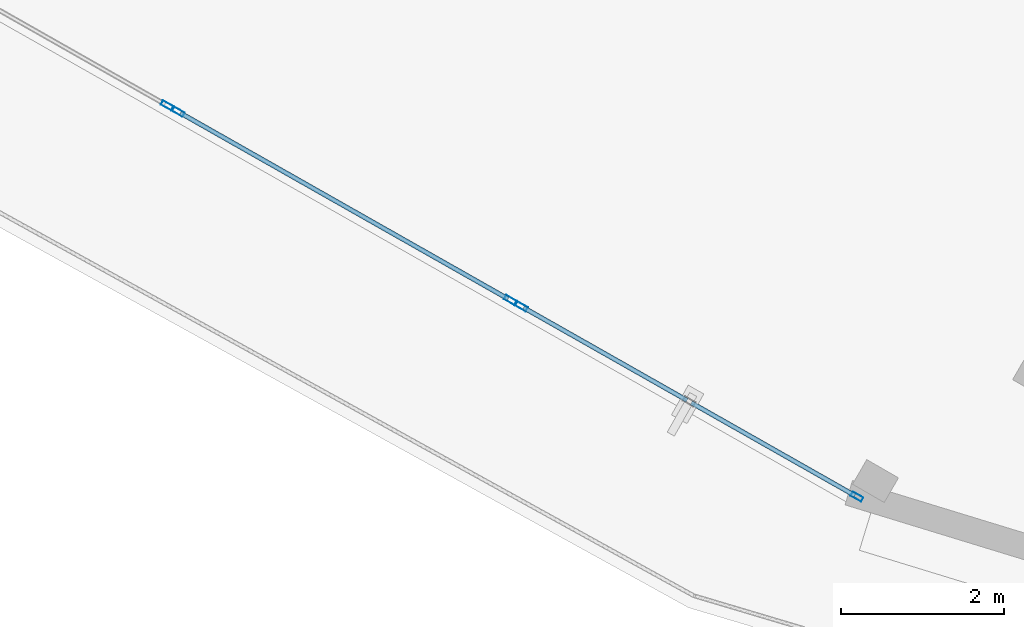
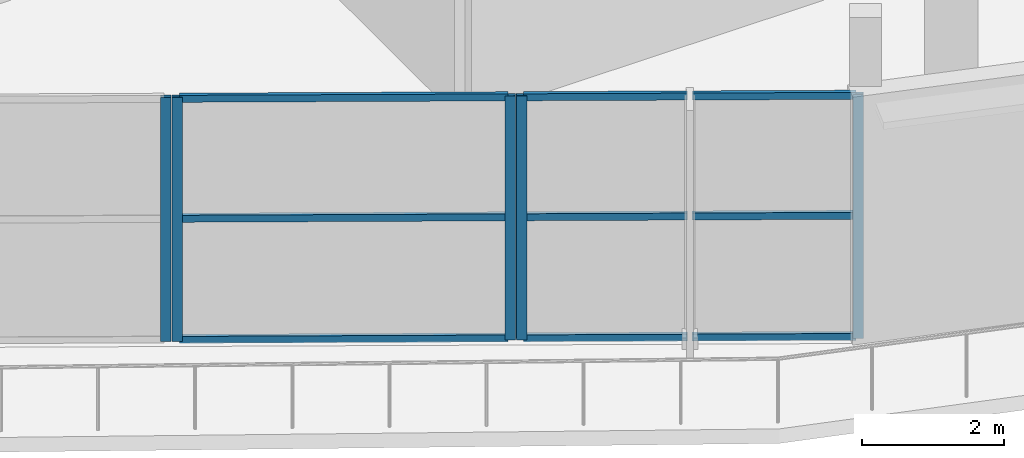
# One storey, part 18 of 123: 14 members, 3 elements without a shape of their own.
"""IFC4 building model written with IfcOpenShell, lengths in metres."""

import ifcopenshell
import ifcopenshell.guid

model = None  # the IFC model being written
_history = None  # IfcOwnerHistory: only IFC2X3 demands one
_inside = {}  # id of a spatial element -> (the spatial element, [elements in it])
_under = {}  # id of a project, library or spatial element -> (it, [spatial elements below it])
_declared = {}  # id of a project -> (the project, [libraries it declares])
_typed = {}  # id of a type object -> (the type object, [elements of that type])
_made_of = {}  # id of a material, layer set ... -> (it, [elements and type objects made of it])


def new_model(schema):
    """Start an empty IFC model of exactly this schema.

    Asked for "IFC4X3", IfcOpenShell would pick the latest addendum, in which some entities
    have other attributes; the version numbers below select the first issue.
    IFC2X3 requires an IfcOwnerHistory on every rooted entity: one is made here for all.
    """
    global model, _history
    if schema == "IFC4X3":
        model = ifcopenshell.file(schema_version=(4, 3, 0, 0))
    else:
        model = ifcopenshell.file(schema=schema)
    _inside.clear()
    _under.clear()
    _declared.clear()
    _typed.clear()
    _made_of.clear()
    _history = None
    if model.schema == "IFC2X3":
        org = make("IfcOrganization", Name="unknown")
        user = make(
            "IfcPersonAndOrganization",
            ThePerson=make("IfcPerson", FamilyName="unknown"),
            TheOrganization=org,
        )
        app = make(
            "IfcApplication",
            ApplicationDeveloper=org,
            Version="unknown",
            ApplicationFullName="unknown",
            ApplicationIdentifier="unknown",
        )
        _history = make(
            "IfcOwnerHistory",
            OwningUser=user,
            OwningApplication=app,
            ChangeAction="ADDED",
            CreationDate=0,
        )
    return model


def make(cls, **values):
    """One entity of the class cls with the attributes given. An attribute that is None is left unset."""
    return model.create_entity(
        cls, **{name: value for name, value in values.items() if value is not None}
    )


def rooted(cls, **values):
    """An entity with a GlobalId (a new one), such as an element, a storey or a relation."""
    return make(cls, GlobalId=ifcopenshell.guid.new(), OwnerHistory=_history, **values)


def si_unit(unit_type, name, prefix=None):
    """IfcSIUnit, for example si_unit("LENGTHUNIT", "METRE", prefix="MILLI")."""
    return make("IfcSIUnit", UnitType=unit_type, Prefix=prefix, Name=name)


def assignment(units):
    """IfcUnitAssignment: the units of a project."""
    return None if units is None else make("IfcUnitAssignment", Units=units)


def point(xyz):
    """IfcCartesianPoint."""
    return None if xyz is None else make("IfcCartesianPoint", Coordinates=xyz)


def direction(xyz):
    """IfcDirection."""
    return None if xyz is None else make("IfcDirection", DirectionRatios=xyz)


def frame(location, z_axis=None, x_axis=None):
    """IfcAxis2Placement3D, a coordinate frame: its origin and axes. An axis left out is left unset."""
    return make(
        "IfcAxis2Placement3D",
        Location=point(location),
        Axis=direction(z_axis),
        RefDirection=direction(x_axis),
    )


def frame_2d(location, x_axis=None):
    """IfcAxis2Placement2D, a coordinate frame in the plane: its origin and x axis."""
    return make(
        "IfcAxis2Placement2D", Location=point(location), RefDirection=direction(x_axis)
    )


def origin():
    """The frame at (0, 0, 0) with its axes left unset."""
    return frame((0.0, 0.0, 0.0))


def origin_2d():
    """The frame at (0, 0) in the plane with its x axis left unset."""
    return frame_2d((0.0, 0.0))


def place(relative_to, where):
    """IfcLocalPlacement: puts the frame where relative to a parent placement (None: the world)."""
    return make(
        "IfcLocalPlacement", PlacementRelTo=relative_to, RelativePlacement=where
    )


def context(
    kind, dimensions, precision=None, world=None, true_north=None, identifier=None
):
    """IfcGeometricRepresentationContext, for example the 3D "Model" context."""
    return make(
        "IfcGeometricRepresentationContext",
        ContextIdentifier=identifier,
        ContextType=kind,
        CoordinateSpaceDimension=dimensions,
        Precision=precision,
        WorldCoordinateSystem=world,
        TrueNorth=true_north,
    )


def subcontext(parent, identifier, kind, view, scale=None):
    """IfcGeometricRepresentationSubContext, for example "Body" below "Model"."""
    return make(
        "IfcGeometricRepresentationSubContext",
        ContextIdentifier=identifier,
        ContextType=kind,
        ParentContext=parent,
        TargetScale=scale,
        TargetView=view,
    )


def project(units=None, contexts=None):
    """IfcProject with its units and contexts."""
    return rooted(
        "IfcProject",
        Name="project",
        RepresentationContexts=contexts,
        UnitsInContext=assignment(units),
    )


def spatial(cls, under=None, at=None, **own):
    """A site, building, storey or space (cls), placed at a placement, below another one or the project."""
    s = rooted(cls, ObjectPlacement=at, **own)
    if under is not None:
        _under.setdefault(under.id(), (under, []))[1].append(s)
    return s


def profile(cls, at=None, kind="AREA", **sizes):
    """A parametric profile (cls). Its sizes go by their IFC names, for example OverallWidth=200.0."""
    return make(cls, ProfileType=kind, Position=at, **sizes)


def hollow_rectangle(**sizes):
    """IfcRectangleHollowProfileDef."""
    return profile("IfcRectangleHollowProfileDef", **sizes)


def extrude(swept, where, along, depth):
    """IfcExtrudedAreaSolid: the profile swept, set in the frame where, extruded along a direction by depth."""
    return make(
        "IfcExtrudedAreaSolid",
        SweptArea=swept,
        Position=where,
        ExtrudedDirection=direction(along),
        Depth=depth,
    )


def shape(context_of_items, identifier, shape_type, items):
    """IfcShapeRepresentation: the items that make up one representation, for example the "Body"."""
    return make(
        "IfcShapeRepresentation",
        ContextOfItems=context_of_items,
        RepresentationIdentifier=identifier,
        RepresentationType=shape_type,
        Items=items,
    )


def material(Name=None, Category=None):
    """IfcMaterial."""
    return make("IfcMaterial", Name=Name, Category=Category)


def layer(
    of_material, thickness, ventilated=None, Name=None, Category=None, Priority=None
):
    """IfcMaterialLayer: one layer of a wall or slab, of a material (None: an air gap)."""
    return make(
        "IfcMaterialLayer",
        Material=of_material,
        LayerThickness=thickness,
        IsVentilated=ventilated,
        Name=Name,
        Category=Category,
        Priority=Priority,
    )


def layer_set(layers, Name=None):
    """IfcMaterialLayerSet."""
    return make("IfcMaterialLayerSet", MaterialLayers=layers, LayerSetName=Name)


def material_profile(
    of_material, cross_section, Name=None, Category=None, Priority=None
):
    """IfcMaterialProfile: a cross section and its material."""
    return make(
        "IfcMaterialProfile",
        Name=Name,
        Material=of_material,
        Profile=cross_section,
        Priority=Priority,
        Category=Category,
    )


def profile_set(profiles, Name=None, composite=None):
    """IfcMaterialProfileSet."""
    return make(
        "IfcMaterialProfileSet",
        Name=Name,
        MaterialProfiles=profiles,
        CompositeProfile=composite,
    )


def made_of(thing, what):
    """Note that an element or type object is made of a material, layer set ...; save() writes the relation."""
    if what is not None:
        _made_of.setdefault(what.id(), (what, []))[1].append(thing)
    return thing


def type_object(cls, material=None, **own):
    """A type object (cls), such as IfcWallType, which elements share."""
    return made_of(rooted(cls, **own), material)


def element(
    cls,
    number,
    at=None,
    inside=None,
    cuts=None,
    type_object=None,
    material=None,
    context=None,
    identifier="Body",
    shape_type=None,
    held_by="IfcProductDefinitionShape",
    body=None,
    shapes=None,
    **own,
):
    """One element of the class cls, such as IfcWall. Its Tag is "e" and its number.

    at: its placement. inside: the storey or other place that contains it. cuts: it is an
    opening in that element (IfcRelVoidsElement). A single representation is given by context,
    identifier, shape_type and body (its items); several are given by shapes. held_by: the class
    of the entity that holds the representations. save() writes the other relations.
    """
    e = rooted(cls, Tag="e%d" % number, ObjectPlacement=at, **own)
    if body is not None:
        shapes = [shape(context, identifier, shape_type, body)]
    if shapes is not None:
        e.Representation = make(held_by, Representations=shapes)
    if inside is not None:
        _inside.setdefault(inside.id(), (inside, []))[1].append(e)
    if cuts is not None:
        rooted(
            "IfcRelVoidsElement", RelatingBuildingElement=cuts, RelatedOpeningElement=e
        )
    if type_object is not None:
        _typed.setdefault(type_object.id(), (type_object, []))[1].append(e)
    return made_of(e, material)


def aggregate(whole, parts):
    """IfcRelAggregates: a whole, such as a stair, and the parts it consists of."""
    return rooted("IfcRelAggregates", RelatingObject=whole, RelatedObjects=parts)


def save(model, path):
    """Write the relations noted so far, then the file.

    IfcRelAggregates (storeys below a building ...), IfcRelContainedInSpatialStructure (elements
    in a storey), IfcRelDefinesByType, IfcRelAssociatesMaterial and IfcRelDeclares: one each for
    every whole, place, type object, material and project.
    """
    for whole, parts in _under.values():
        aggregate(whole, parts)
    for where, things in _inside.values():
        rooted(
            "IfcRelContainedInSpatialStructure",
            RelatedElements=things,
            RelatingStructure=where,
        )
    for kind, things in _typed.values():
        rooted("IfcRelDefinesByType", RelatedObjects=things, RelatingType=kind)
    for what, things in _made_of.values():
        rooted("IfcRelAssociatesMaterial", RelatedObjects=things, RelatingMaterial=what)
    for by, libraries in _declared.values():
        rooted("IfcRelDeclares", RelatingContext=by, RelatedDefinitions=libraries)
    model.write(path)


model = new_model("IFC4")

# Units and contexts
model_context = context("Model", 3, precision=1e-05, world=origin(), true_north=direction((0.0, 1.0)))
body_context = subcontext(model_context, "Body", "Model", "MODEL_VIEW")
ifc_project = project(units=[si_unit("LENGTHUNIT", "METRE"), si_unit("AREAUNIT", "SQUARE_METRE"), si_unit("VOLUMEUNIT", "CUBIC_METRE"), si_unit("PLANEANGLEUNIT", "RADIAN"), si_unit("MASSUNIT", "GRAM", prefix="KILO")], contexts=[model_context])

# Site, building, storey
site_placement = place(None, origin())
site = spatial("IfcSite", under=ifc_project, at=site_placement, CompositionType="ELEMENT")
building_placement = place(site_placement, origin())
building = spatial("IfcBuilding", under=site, at=building_placement, Name="Kalgoora Escarpment Arena", CompositionType="ELEMENT")
storey_placement = place(building_placement, frame((0.0, 0.0, 9.89990234375)))
storey = spatial("IfcBuildingStorey", under=building, at=storey_placement, Name="L02", CompositionType="ELEMENT", Elevation=9.89990234375)

# Curtain wall, members
ifc_material_1 = material(Name=" Champagne anodised aluminium & double-glazed low-E", Category="aluminium")
ifc_layer_1 = layer(ifc_material_1, 0.157958984375)
ifc_layer_set_1 = layer_set([ifc_layer_1], Name="CW-UNIT-12")
curtain_wall_type_1 = type_object("IfcCurtainWallType", Name="CW-UNIT-12", PredefinedType="NOTDEFINED", material=ifc_layer_set_1)
curtain_wall_1_placement = place(storey_placement, origin())
curtain_wall_1 = element("IfcCurtainWall", 1, at=curtain_wall_1_placement, inside=storey, type_object=curtain_wall_type_1, Name="L02 unitised facade curtain wall 051", PredefinedType="NOTDEFINED")
ifc_material_2 = material(Name="Anodised aluminium 6063-T6", Category="aluminium")
ifc_material_profile_1 = material_profile(ifc_material_2, hollow_rectangle(XDim=0.06005859375, YDim=0.14990234375, WallThickness=0.00341796875, at=origin_2d()))
ifc_profile_set_1 = profile_set([ifc_material_profile_1], Name="Anodised aluminium 6063-T6")
member_type_1 = type_object("IfcMemberType", Name="MEM-CW-MULL-150", PredefinedType="MULLION", material=ifc_profile_set_1)
member_1_placement = place(storey_placement, frame((50.971435546875, 11.1533203125, 0.02001953125), z_axis=(0.0, 0.0, 1.0), x_axis=(-0.49334386581, -0.86983436933, 0.0)))
member_1 = element("IfcMember", 2, at=member_1_placement, type_object=member_type_1, Name="CW-12 mullion 1", PredefinedType="MULLION", context=body_context, shape_type="SweptSolid", body=[
    extrude(hollow_rectangle(XDim=0.06005859375, YDim=0.14990234375, WallThickness=0.00341796875, at=origin_2d()), origin(), (0.0, 0.0, 1.0), 4.205078125),
])
member_2_placement = place(storey_placement, frame((46.843994140625, 13.494384765625, 0.02001953125), z_axis=(0.0, 0.0, 1.0), x_axis=(-0.49334386581, -0.86983436933, 0.0)))
member_2 = element("IfcMember", 3, at=member_2_placement, type_object=member_type_1, Name="CW-12 mullion 3", PredefinedType="MULLION", context=body_context, shape_type="SweptSolid", body=[
    extrude(hollow_rectangle(XDim=0.06005859375, YDim=0.14990234375, WallThickness=0.00341796875, at=origin_2d()), origin(), (0.0, 0.0, 1.0), 4.205078125),
])

ifc_material_3 = material(Name=" Champagne anodised aluminium & double-glazed low-E", Category="aluminium")
ifc_layer_2 = layer(ifc_material_3, 0.162109375)
ifc_layer_set_2 = layer_set([ifc_layer_2], Name="CW-UNIT-13")
curtain_wall_type_2 = type_object("IfcCurtainWallType", Name="CW-UNIT-13", PredefinedType="NOTDEFINED", material=ifc_layer_set_2)
curtain_wall_2_placement = place(storey_placement, origin())
curtain_wall_2 = element("IfcCurtainWall", 4, at=curtain_wall_2_placement, inside=storey, type_object=curtain_wall_type_2, Name="L02 unitised facade curtain wall 052", PredefinedType="NOTDEFINED")
member_3_placement = place(storey_placement, frame((46.704833984375, 13.5732421875, 0.02001953125), z_axis=(0.0, 0.0, 1.0), x_axis=(-0.493346280042, -0.869833000046, 0.0)))
member_3 = element("IfcMember", 5, at=member_3_placement, type_object=member_type_1, Name="CW-13 mullion 1", PredefinedType="MULLION", context=body_context, shape_type="SweptSolid", body=[
    extrude(hollow_rectangle(XDim=0.06005859375, YDim=0.14990234375, WallThickness=0.00341796875, at=origin_2d()), origin(), (0.0, 0.0, 1.0), 4.205078125),
])
member_4_placement = place(storey_placement, frame((42.62060546875, 15.8896484375, 0.02001953125), z_axis=(0.0, 0.0, 1.0), x_axis=(-0.493346280042, -0.869833000046, 0.0)))
member_4 = element("IfcMember", 6, at=member_4_placement, type_object=member_type_1, Name="CW-13 mullion 2", PredefinedType="MULLION", context=body_context, shape_type="SweptSolid", body=[
    extrude(hollow_rectangle(XDim=0.06005859375, YDim=0.14990234375, WallThickness=0.00341796875, at=origin_2d()), origin(), (0.0, 0.0, 1.0), 4.205078125),
])

# Curtain wall, member
ifc_material_4 = material(Name=" Champagne anodised aluminium & double-glazed low-E", Category="aluminium")
ifc_layer_3 = layer(ifc_material_4, 0.166015625)
ifc_layer_set_3 = layer_set([ifc_layer_3], Name="CW-UNIT-14")
curtain_wall_type_3 = type_object("IfcCurtainWallType", Name="CW-UNIT-14", PredefinedType="NOTDEFINED", material=ifc_layer_set_3)
curtain_wall_3_placement = place(storey_placement, origin())
curtain_wall_3 = element("IfcCurtainWall", 7, at=curtain_wall_3_placement, inside=storey, type_object=curtain_wall_type_3, Name="L02 unitised facade curtain wall 053", PredefinedType="NOTDEFINED")
member_5_placement = place(storey_placement, frame((42.481689453125, 15.968505859375, 0.02001953125), z_axis=(0.0, 0.0, 1.0), x_axis=(-0.493330368859, -0.869842024256, 0.0)))
member_5 = element("IfcMember", 8, at=member_5_placement, type_object=member_type_1, Name="CW-14 mullion 1", PredefinedType="MULLION", context=body_context, shape_type="SweptSolid", body=[
    extrude(hollow_rectangle(XDim=0.06005859375, YDim=0.14990234375, WallThickness=0.00341796875, at=origin_2d()), origin(), (0.0, 0.0, 1.0), 4.205078125),
])
aggregate(curtain_wall_3, [member_5])

# Member
ifc_material_5 = material(Name="Anodised aluminium 6063-T6", Category="aluminium")
ifc_material_profile_2 = material_profile(ifc_material_5, hollow_rectangle(XDim=0.054931640625, YDim=0.1201171875, WallThickness=0.003173828125, at=origin_2d()))
ifc_profile_set_2 = profile_set([ifc_material_profile_2], Name="Anodised aluminium 6063-T6")
member_type_2 = type_object("IfcMemberType", Name="MEM-CW-TRAN-120", PredefinedType="USERDEFINED", material=ifc_profile_set_2)
member_6_placement = place(storey_placement, frame((50.9453125, 11.168212890625, 0.047607421875), z_axis=(-0.869830416208, 0.493350835653, 0.0), x_axis=(-0.493350835653, -0.869830416208, 0.0)))
member_6 = element("IfcMember", 9, at=member_6_placement, type_object=member_type_2, Name="CW-12 transom 1.1", ObjectType="TRANSOM", PredefinedType="USERDEFINED", context=body_context, shape_type="SweptSolid", body=[
    extrude(hollow_rectangle(XDim=0.054931640625, YDim=0.1201171875, WallThickness=0.003173828125, at=origin_2d()), origin(), (0.0, 0.0, 1.0), 2.3125),
])

member_7_placement = place(storey_placement, frame((50.9453125, 11.168212890625, 2.132568359375), z_axis=(-0.869830416208, 0.493350835653, 0.0), x_axis=(-0.493350835653, -0.869830416208, 0.0)))
member_7 = element("IfcMember", 10, at=member_7_placement, type_object=member_type_2, Name="CW-12 transom 1.2", ObjectType="TRANSOM", PredefinedType="USERDEFINED", context=body_context, shape_type="SweptSolid", body=[
    extrude(hollow_rectangle(XDim=0.054931640625, YDim=0.1201171875, WallThickness=0.003173828125, at=origin_2d()), origin(), (0.0, 0.0, 1.0), 2.3125),
])

member_8_placement = place(storey_placement, frame((50.9453125, 11.168212890625, 4.197509765625), z_axis=(-0.869830416208, 0.493350835653, 0.0), x_axis=(-0.493350835653, -0.869830416208, 0.0)))
member_8 = element("IfcMember", 11, at=member_8_placement, type_object=member_type_2, Name="CW-12 transom 1.3", ObjectType="TRANSOM", PredefinedType="USERDEFINED", context=body_context, shape_type="SweptSolid", body=[
    extrude(hollow_rectangle(XDim=0.054931640625, YDim=0.1201171875, WallThickness=0.003173828125, at=origin_2d()), origin(), (0.0, 0.0, 1.0), 2.3125),
])

member_9_placement = place(storey_placement, frame((48.881591796875, 12.338623046875, 0.047607421875), z_axis=(-0.869830416208, 0.493350835653, 0.0), x_axis=(-0.493350835653, -0.869830416208, 0.0)))
member_9 = element("IfcMember", 12, at=member_9_placement, type_object=member_type_2, Name="CW-12 transom 2.1", ObjectType="TRANSOM", PredefinedType="USERDEFINED", context=body_context, shape_type="SweptSolid", body=[
    extrude(hollow_rectangle(XDim=0.054931640625, YDim=0.1201171875, WallThickness=0.003173828125, at=origin_2d()), origin(), (0.0, 0.0, 1.0), 2.3125),
])

member_10_placement = place(storey_placement, frame((48.881591796875, 12.338623046875, 2.132568359375), z_axis=(-0.869830416208, 0.493350835653, 0.0), x_axis=(-0.493350835653, -0.869830416208, 0.0)))
member_10 = element("IfcMember", 13, at=member_10_placement, type_object=member_type_2, Name="CW-12 transom 2.2", ObjectType="TRANSOM", PredefinedType="USERDEFINED", context=body_context, shape_type="SweptSolid", body=[
    extrude(hollow_rectangle(XDim=0.054931640625, YDim=0.1201171875, WallThickness=0.003173828125, at=origin_2d()), origin(), (0.0, 0.0, 1.0), 2.3125),
])

member_11_placement = place(storey_placement, frame((48.881591796875, 12.338623046875, 4.197509765625), z_axis=(-0.869830416208, 0.493350835653, 0.0), x_axis=(-0.493350835653, -0.869830416208, 0.0)))
member_11 = element("IfcMember", 14, at=member_11_placement, type_object=member_type_2, Name="CW-12 transom 2.3", ObjectType="TRANSOM", PredefinedType="USERDEFINED", context=body_context, shape_type="SweptSolid", body=[
    extrude(hollow_rectangle(XDim=0.054931640625, YDim=0.1201171875, WallThickness=0.003173828125, at=origin_2d()), origin(), (0.0, 0.0, 1.0), 2.3125),
])

aggregate(curtain_wall_1, [member_1, member_2, member_6, member_7, member_8, member_9, member_10, member_11])

member_12_placement = place(storey_placement, frame((46.6787109375, 13.587890625, 0.047607421875), z_axis=(-0.8698300925, 0.493351406385, 0.0), x_axis=(-0.493351406385, -0.8698300925, 0.0)))
member_12 = element("IfcMember", 15, at=member_12_placement, type_object=member_type_2, Name="CW-13 transom 1.1", ObjectType="TRANSOM", PredefinedType="USERDEFINED", context=body_context, shape_type="SweptSolid", body=[
    extrude(hollow_rectangle(XDim=0.054931640625, YDim=0.1201171875, WallThickness=0.003173828125, at=origin_2d()), origin(), (0.0, 0.0, 1.0), 4.63525390625),
])

member_13_placement = place(storey_placement, frame((46.6787109375, 13.587890625, 2.132568359375), z_axis=(-0.8698300925, 0.493351406385, 0.0), x_axis=(-0.493351406385, -0.8698300925, 0.0)))
member_13 = element("IfcMember", 16, at=member_13_placement, type_object=member_type_2, Name="CW-13 transom 1.2", ObjectType="TRANSOM", PredefinedType="USERDEFINED", context=body_context, shape_type="SweptSolid", body=[
    extrude(hollow_rectangle(XDim=0.054931640625, YDim=0.1201171875, WallThickness=0.003173828125, at=origin_2d()), origin(), (0.0, 0.0, 1.0), 4.63525390625),
])

member_14_placement = place(storey_placement, frame((46.6787109375, 13.587890625, 4.197509765625), z_axis=(-0.8698300925, 0.493351406385, 0.0), x_axis=(-0.493351406385, -0.8698300925, 0.0)))
member_14 = element("IfcMember", 17, at=member_14_placement, type_object=member_type_2, Name="CW-13 transom 1.3", ObjectType="TRANSOM", PredefinedType="USERDEFINED", context=body_context, shape_type="SweptSolid", body=[
    extrude(hollow_rectangle(XDim=0.054931640625, YDim=0.1201171875, WallThickness=0.003173828125, at=origin_2d()), origin(), (0.0, 0.0, 1.0), 4.63525390625),
])

aggregate(curtain_wall_2, [member_3, member_4, member_12, member_13, member_14])

save(model, "model.ifc")
